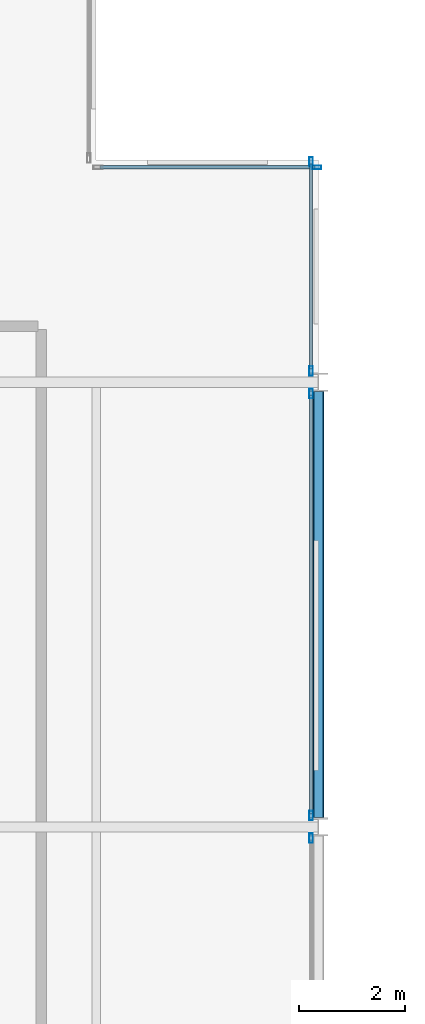
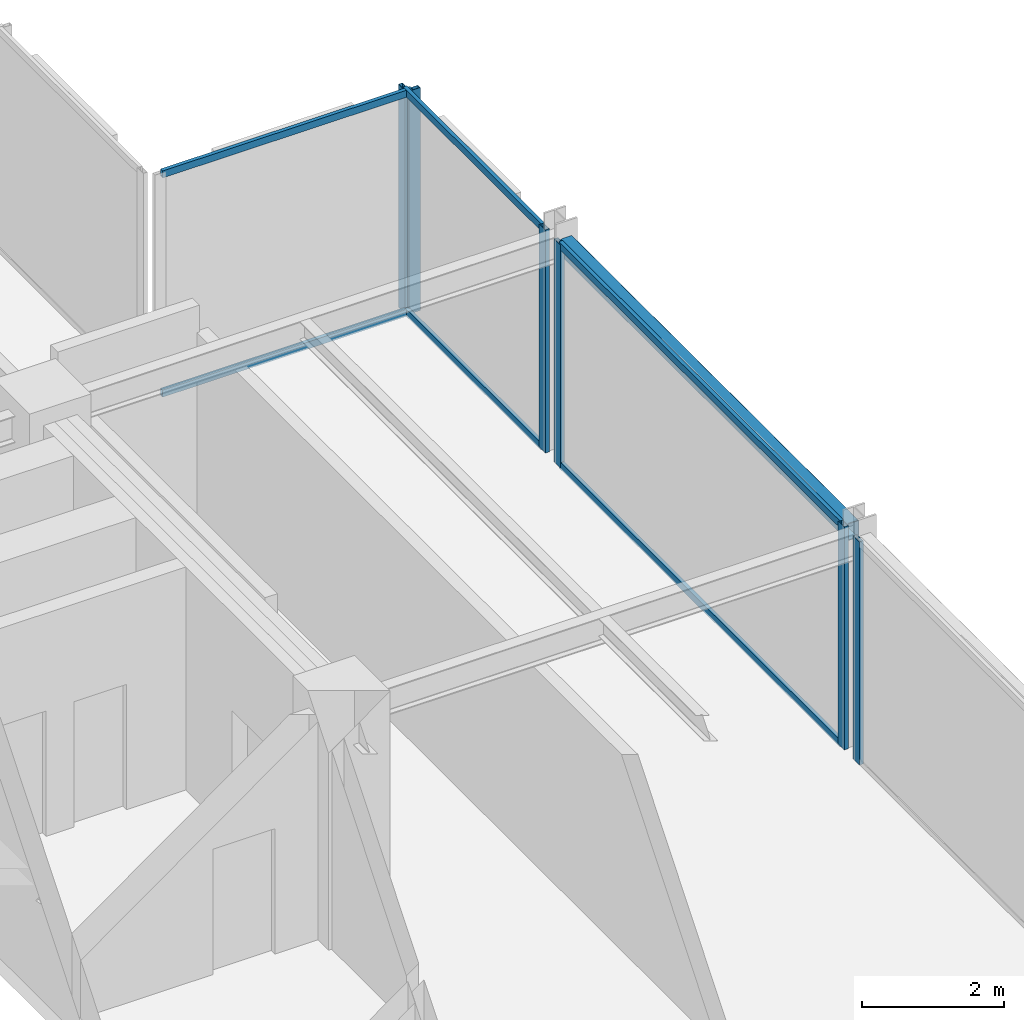
# One storey, part 22 of 29: 12 members, 1 beam, 4 elements without a shape of their own.
"""IFC4 building model written with IfcOpenShell, lengths in metres."""

from ifc_helpers import new_model, si_unit, direction, frame, origin, origin_2d, place, context, subcontext, project, spatial, hollow_rectangle, extrude, material, layer, layer_set, material_profile, profile_set, type_object, element, aggregate, save


model = new_model("IFC4")

# Units and contexts
model_context = context("Model", 3, precision=1e-05, world=origin(), true_north=direction((0.0, 1.0)))
body_context = subcontext(model_context, "Body", "Model", "MODEL_VIEW")
ifc_project = project(units=[si_unit("LENGTHUNIT", "METRE"), si_unit("AREAUNIT", "SQUARE_METRE"), si_unit("VOLUMEUNIT", "CUBIC_METRE"), si_unit("PLANEANGLEUNIT", "RADIAN"), si_unit("MASSUNIT", "GRAM", prefix="KILO")], contexts=[model_context])

# Site, building, storey
site_placement = place(None, origin())
site = spatial("IfcSite", under=ifc_project, at=site_placement, CompositionType="ELEMENT")
building_placement = place(site_placement, origin())
building = spatial("IfcBuilding", under=site, at=building_placement, Name="Nerrivon Quay Data Exchange", CompositionType="ELEMENT")
storey_placement = place(building_placement, frame((0.0, 0.0, 175.5)))
storey = spatial("IfcBuildingStorey", under=building, at=storey_placement, Name="L41", CompositionType="ELEMENT", Elevation=175.5)

# Beam
ifc_material_1 = material(Name="Steel Grade C350L0 (350 MPa)", Category="steel")
ifc_material_profile_1 = material_profile(ifc_material_1, hollow_rectangle(XDim=0.199951171875, YDim=0.300048828125, WallThickness=0.012451171875, InnerFilletRadius=0.018798828125, OuterFilletRadius=0.03125, at=origin_2d()), Name="300x200x12.5RHS")
ifc_profile_set_1 = profile_set([ifc_material_profile_1], Name="Steel Grade C350L0 (350 MPa)")
beam_type = type_object("IfcBeamType", Name="BM-SP3-300x200RHS", PredefinedType="SPANDREL", material=ifc_profile_set_1)
beam_placement = place(storey_placement, frame((25.199951171875, 33.77490234375, 3.675048828125), z_axis=(0.0, 1.0, 0.0), x_axis=(-1.0, 0.0, 0.0)))
element("IfcBeam", 1, at=beam_placement, inside=storey, type_object=beam_type, Name="L41 NS Girder X=25.2 (33.6..42.0)", PredefinedType="SPANDREL", context=body_context, shape_type="SweptSolid", body=[
    extrude(hollow_rectangle(XDim=0.199951171875, YDim=0.300048828125, WallThickness=0.012451171875, InnerFilletRadius=0.018798828125, OuterFilletRadius=0.03125, at=origin_2d()), origin(), (0.0, 0.0, 1.0), 8.050048828125),
])

# Curtain wall, member
ifc_material_2 = material(Name="Anodised aluminium 6063-T6", Category="aluminium")
ifc_layer = layer(ifc_material_2, 0.195068359375)
ifc_layer_set = layer_set([ifc_layer], Name="Anodised aluminium 6063-T6")
curtain_wall_type = type_object("IfcCurtainWallType", Name="CW-SYS-06", PredefinedType="NOTDEFINED", material=ifc_layer_set)
curtain_wall_1_placement = place(storey_placement, origin())
curtain_wall_1 = element("IfcCurtainWall", 2, at=curtain_wall_1_placement, inside=storey, type_object=curtain_wall_type, Name="L41 Unitised Curtain Wall 12", PredefinedType="NOTDEFINED")
ifc_material_profile_2 = material_profile(ifc_material_2, hollow_rectangle(XDim=0.06494140625, YDim=0.179931640625, WallThickness=0.00341796875, at=origin_2d()), Name="ALU-MULL-180x65")
ifc_profile_set_2 = profile_set([ifc_material_profile_2], Name="Anodised aluminium 6063-T6")
member_type_1 = type_object("IfcMemberType", Name="CWM-180x65", PredefinedType="MULLION", material=ifc_profile_set_2)
member_1_placement = place(storey_placement, frame((25.16259765625, 46.06005859375, 0.0), z_axis=(0.0, 0.0, 1.0), x_axis=(0.0, 1.0, 0.0)))
member_1 = element("IfcMember", 3, at=member_1_placement, type_object=member_type_1, Name="CW06 mullion 2", PredefinedType="MULLION", context=body_context, shape_type="SweptSolid", body=[
    extrude(hollow_rectangle(XDim=0.06494140625, YDim=0.179931640625, WallThickness=0.00341796875, at=origin_2d()), origin(), (0.0, 0.0, 1.0), 3.824951171875),
])

# Curtain wall, members
curtain_wall_2_placement = place(storey_placement, origin())
curtain_wall_2 = element("IfcCurtainWall", 4, at=curtain_wall_2_placement, inside=storey, type_object=curtain_wall_type, Name="L41 Unitised Curtain Wall 13", PredefinedType="NOTDEFINED")
member_2_placement = place(storey_placement, frame((25.06005859375, 46.16259765625, 0.0), z_axis=(0.0, 0.0, 1.0), x_axis=(1.0, 0.0, 0.0)))
member_2 = element("IfcMember", 5, at=member_2_placement, type_object=member_type_1, Name="CW06 mullion 1", PredefinedType="MULLION", context=body_context, shape_type="SweptSolid", body=[
    extrude(hollow_rectangle(XDim=0.06494140625, YDim=0.179931640625, WallThickness=0.00341796875, at=origin_2d()), origin(), (0.0, 0.0, 1.0), 3.824951171875),
])
member_3_placement = place(storey_placement, frame((25.06005859375, 42.21240234375, 0.0), z_axis=(0.0, 0.0, 1.0), x_axis=(1.0, 0.0, 0.0)))
member_3 = element("IfcMember", 6, at=member_3_placement, type_object=member_type_1, Name="CW06 mullion 2", PredefinedType="MULLION", context=body_context, shape_type="SweptSolid", body=[
    extrude(hollow_rectangle(XDim=0.06494140625, YDim=0.179931640625, WallThickness=0.00341796875, at=origin_2d()), origin(), (0.0, 0.0, 1.0), 3.824951171875),
])

curtain_wall_3_placement = place(storey_placement, origin())
curtain_wall_3 = element("IfcCurtainWall", 7, at=curtain_wall_3_placement, inside=storey, type_object=curtain_wall_type, Name="L41 Unitised Curtain Wall 14", PredefinedType="NOTDEFINED")
member_4_placement = place(storey_placement, frame((25.06005859375, 41.78759765625, 0.0), z_axis=(0.0, 0.0, 1.0), x_axis=(1.0, 0.0, 0.0)))
member_4 = element("IfcMember", 8, at=member_4_placement, type_object=member_type_1, Name="CW06 mullion 1", PredefinedType="MULLION", context=body_context, shape_type="SweptSolid", body=[
    extrude(hollow_rectangle(XDim=0.06494140625, YDim=0.179931640625, WallThickness=0.00341796875, at=origin_2d()), origin(), (0.0, 0.0, 1.0), 3.824951171875),
])
member_5_placement = place(storey_placement, frame((25.06005859375, 33.8125, 0.0), z_axis=(0.0, 0.0, 1.0), x_axis=(1.0, 0.0, 0.0)))
member_5 = element("IfcMember", 9, at=member_5_placement, type_object=member_type_1, Name="CW06 mullion 2", PredefinedType="MULLION", context=body_context, shape_type="SweptSolid", body=[
    extrude(hollow_rectangle(XDim=0.06494140625, YDim=0.179931640625, WallThickness=0.00341796875, at=origin_2d()), origin(), (0.0, 0.0, 1.0), 3.824951171875),
])

# Curtain wall, member
curtain_wall_4_placement = place(storey_placement, origin())
curtain_wall_4 = element("IfcCurtainWall", 10, at=curtain_wall_4_placement, inside=storey, type_object=curtain_wall_type, Name="L41 Unitised Curtain Wall 15", PredefinedType="NOTDEFINED")
member_6_placement = place(storey_placement, frame((25.06005859375, 33.387451171875, 0.0), z_axis=(0.0, 0.0, 1.0), x_axis=(1.0, 0.0, 0.0)))
member_6 = element("IfcMember", 11, at=member_6_placement, type_object=member_type_1, Name="CW06 mullion 1", PredefinedType="MULLION", context=body_context, shape_type="SweptSolid", body=[
    extrude(hollow_rectangle(XDim=0.06494140625, YDim=0.179931640625, WallThickness=0.00341796875, at=origin_2d()), origin(), (0.0, 0.0, 1.0), 3.824951171875),
])
aggregate(curtain_wall_4, [member_6])

# Member
ifc_material_profile_3 = material_profile(ifc_material_2, hollow_rectangle(XDim=0.06005859375, YDim=0.1201171875, WallThickness=0.003173828125, at=origin_2d()), Name="ALU-TRAN-120x60")
ifc_profile_set_3 = profile_set([ifc_material_profile_3], Name="Anodised aluminium 6063-T6")
member_type_2 = type_object("IfcMemberType", Name="CWT-120x60", PredefinedType="USERDEFINED", material=ifc_profile_set_3)
member_7_placement = place(storey_placement, frame((21.074951171875, 46.06005859375, 0.032470703125), z_axis=(1.0, 0.0, 0.0), x_axis=(0.0, 1.0, 0.0)))
member_7 = element("IfcMember", 12, at=member_7_placement, type_object=member_type_2, Name="CW06 transom 1.1", ObjectType="TRANSOM", PredefinedType="USERDEFINED", context=body_context, shape_type="SweptSolid", body=[
    extrude(hollow_rectangle(XDim=0.06005859375, YDim=0.1201171875, WallThickness=0.003173828125, at=origin_2d()), origin(), (0.0, 0.0, 1.0), 4.050048828125),
])

member_8_placement = place(storey_placement, frame((21.074951171875, 46.06005859375, 3.79248046875), z_axis=(1.0, 0.0, 0.0), x_axis=(0.0, 1.0, 0.0)))
member_8 = element("IfcMember", 13, at=member_8_placement, type_object=member_type_2, Name="CW06 transom 1.2", ObjectType="TRANSOM", PredefinedType="USERDEFINED", context=body_context, shape_type="SweptSolid", body=[
    extrude(hollow_rectangle(XDim=0.06005859375, YDim=0.1201171875, WallThickness=0.003173828125, at=origin_2d()), origin(), (0.0, 0.0, 1.0), 4.050048828125),
])

aggregate(curtain_wall_1, [member_1, member_7, member_8])

member_9_placement = place(storey_placement, frame((25.06005859375, 46.125, 0.032470703125), z_axis=(0.0, -1.0, 0.0), x_axis=(1.0, 0.0, 0.0)))
member_9 = element("IfcMember", 14, at=member_9_placement, type_object=member_type_2, Name="CW06 transom 1.1", ObjectType="TRANSOM", PredefinedType="USERDEFINED", context=body_context, shape_type="SweptSolid", body=[
    extrude(hollow_rectangle(XDim=0.06005859375, YDim=0.1201171875, WallThickness=0.003173828125, at=origin_2d()), origin(), (0.0, 0.0, 1.0), 3.875),
])

member_10_placement = place(storey_placement, frame((25.06005859375, 46.125, 3.79248046875), z_axis=(0.0, -1.0, 0.0), x_axis=(1.0, 0.0, 0.0)))
member_10 = element("IfcMember", 15, at=member_10_placement, type_object=member_type_2, Name="CW06 transom 1.2", ObjectType="TRANSOM", PredefinedType="USERDEFINED", context=body_context, shape_type="SweptSolid", body=[
    extrude(hollow_rectangle(XDim=0.06005859375, YDim=0.1201171875, WallThickness=0.003173828125, at=origin_2d()), origin(), (0.0, 0.0, 1.0), 3.875),
])

aggregate(curtain_wall_2, [member_2, member_3, member_9, member_10])

member_11_placement = place(storey_placement, frame((25.06005859375, 41.75, 0.032470703125), z_axis=(0.0, -1.0, 0.0), x_axis=(1.0, 0.0, 0.0)))
member_11 = element("IfcMember", 16, at=member_11_placement, type_object=member_type_2, Name="CW06 transom 1.1", ObjectType="TRANSOM", PredefinedType="USERDEFINED", context=body_context, shape_type="SweptSolid", body=[
    extrude(hollow_rectangle(XDim=0.06005859375, YDim=0.1201171875, WallThickness=0.003173828125, at=origin_2d()), origin(), (0.0, 0.0, 1.0), 7.89990234375),
])

member_12_placement = place(storey_placement, frame((25.06005859375, 41.75, 3.79248046875), z_axis=(0.0, -1.0, 0.0), x_axis=(1.0, 0.0, 0.0)))
member_12 = element("IfcMember", 17, at=member_12_placement, type_object=member_type_2, Name="CW06 transom 1.2", ObjectType="TRANSOM", PredefinedType="USERDEFINED", context=body_context, shape_type="SweptSolid", body=[
    extrude(hollow_rectangle(XDim=0.06005859375, YDim=0.1201171875, WallThickness=0.003173828125, at=origin_2d()), origin(), (0.0, 0.0, 1.0), 7.89990234375),
])

aggregate(curtain_wall_3, [member_4, member_5, member_11, member_12])

save(model, "model.ifc")
